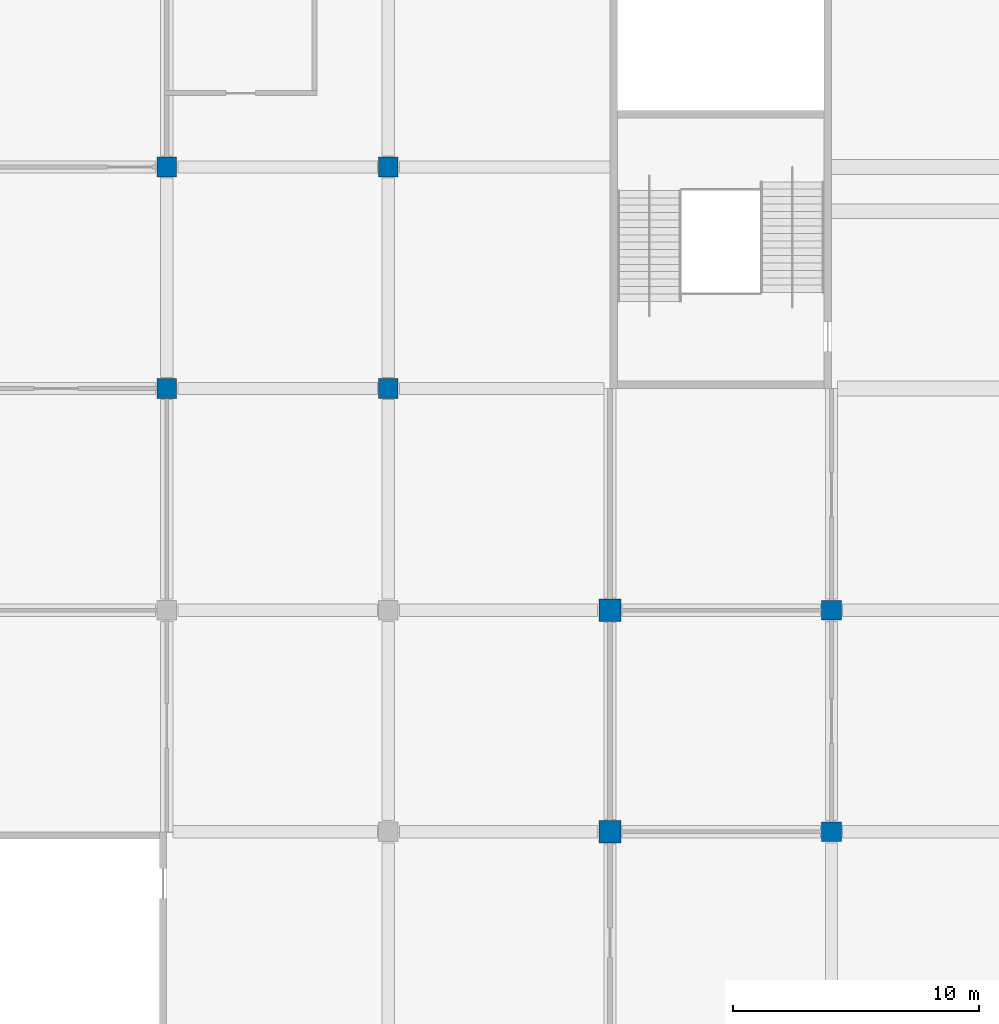
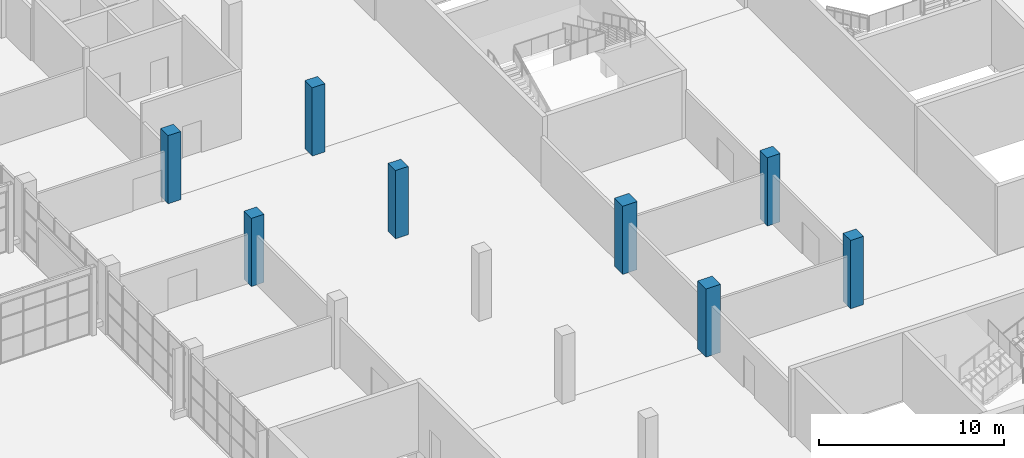
# One storey, part 4 of 168: 8 columns.
"""IFC4 building model written with IfcOpenShell, lengths in metres."""

import ifcopenshell
import ifcopenshell.guid

model = None  # the IFC model being written
_history = None  # IfcOwnerHistory: only IFC2X3 demands one
_inside = {}  # id of a spatial element -> (the spatial element, [elements in it])
_under = {}  # id of a project, library or spatial element -> (it, [spatial elements below it])
_declared = {}  # id of a project -> (the project, [libraries it declares])
_typed = {}  # id of a type object -> (the type object, [elements of that type])
_made_of = {}  # id of a material, layer set ... -> (it, [elements and type objects made of it])


def new_model(schema):
    """Start an empty IFC model of exactly this schema.

    Asked for "IFC4X3", IfcOpenShell would pick the latest addendum, in which some entities
    have other attributes; the version numbers below select the first issue.
    IFC2X3 requires an IfcOwnerHistory on every rooted entity: one is made here for all.
    """
    global model, _history
    if schema == "IFC4X3":
        model = ifcopenshell.file(schema_version=(4, 3, 0, 0))
    else:
        model = ifcopenshell.file(schema=schema)
    _inside.clear()
    _under.clear()
    _declared.clear()
    _typed.clear()
    _made_of.clear()
    _history = None
    if model.schema == "IFC2X3":
        org = make("IfcOrganization", Name="unknown")
        user = make(
            "IfcPersonAndOrganization",
            ThePerson=make("IfcPerson", FamilyName="unknown"),
            TheOrganization=org,
        )
        app = make(
            "IfcApplication",
            ApplicationDeveloper=org,
            Version="unknown",
            ApplicationFullName="unknown",
            ApplicationIdentifier="unknown",
        )
        _history = make(
            "IfcOwnerHistory",
            OwningUser=user,
            OwningApplication=app,
            ChangeAction="ADDED",
            CreationDate=0,
        )
    return model


def make(cls, **values):
    """One entity of the class cls with the attributes given. An attribute that is None is left unset."""
    return model.create_entity(
        cls, **{name: value for name, value in values.items() if value is not None}
    )


def rooted(cls, **values):
    """An entity with a GlobalId (a new one), such as an element, a storey or a relation."""
    return make(cls, GlobalId=ifcopenshell.guid.new(), OwnerHistory=_history, **values)


def si_unit(unit_type, name, prefix=None):
    """IfcSIUnit, for example si_unit("LENGTHUNIT", "METRE", prefix="MILLI")."""
    return make("IfcSIUnit", UnitType=unit_type, Prefix=prefix, Name=name)


def assignment(units):
    """IfcUnitAssignment: the units of a project."""
    return None if units is None else make("IfcUnitAssignment", Units=units)


def point(xyz):
    """IfcCartesianPoint."""
    return None if xyz is None else make("IfcCartesianPoint", Coordinates=xyz)


def direction(xyz):
    """IfcDirection."""
    return None if xyz is None else make("IfcDirection", DirectionRatios=xyz)


def frame(location, z_axis=None, x_axis=None):
    """IfcAxis2Placement3D, a coordinate frame: its origin and axes. An axis left out is left unset."""
    return make(
        "IfcAxis2Placement3D",
        Location=point(location),
        Axis=direction(z_axis),
        RefDirection=direction(x_axis),
    )


def frame_2d(location, x_axis=None):
    """IfcAxis2Placement2D, a coordinate frame in the plane: its origin and x axis."""
    return make(
        "IfcAxis2Placement2D", Location=point(location), RefDirection=direction(x_axis)
    )


def origin():
    """The frame at (0, 0, 0) with its axes left unset."""
    return frame((0.0, 0.0, 0.0))


def origin_2d():
    """The frame at (0, 0) in the plane with its x axis left unset."""
    return frame_2d((0.0, 0.0))


def place(relative_to, where):
    """IfcLocalPlacement: puts the frame where relative to a parent placement (None: the world)."""
    return make(
        "IfcLocalPlacement", PlacementRelTo=relative_to, RelativePlacement=where
    )


def context(
    kind, dimensions, precision=None, world=None, true_north=None, identifier=None
):
    """IfcGeometricRepresentationContext, for example the 3D "Model" context."""
    return make(
        "IfcGeometricRepresentationContext",
        ContextIdentifier=identifier,
        ContextType=kind,
        CoordinateSpaceDimension=dimensions,
        Precision=precision,
        WorldCoordinateSystem=world,
        TrueNorth=true_north,
    )


def subcontext(parent, identifier, kind, view, scale=None):
    """IfcGeometricRepresentationSubContext, for example "Body" below "Model"."""
    return make(
        "IfcGeometricRepresentationSubContext",
        ContextIdentifier=identifier,
        ContextType=kind,
        ParentContext=parent,
        TargetScale=scale,
        TargetView=view,
    )


def project(units=None, contexts=None):
    """IfcProject with its units and contexts."""
    return rooted(
        "IfcProject",
        Name="project",
        RepresentationContexts=contexts,
        UnitsInContext=assignment(units),
    )


def spatial(cls, under=None, at=None, **own):
    """A site, building, storey or space (cls), placed at a placement, below another one or the project."""
    s = rooted(cls, ObjectPlacement=at, **own)
    if under is not None:
        _under.setdefault(under.id(), (under, []))[1].append(s)
    return s


def profile(cls, at=None, kind="AREA", **sizes):
    """A parametric profile (cls). Its sizes go by their IFC names, for example OverallWidth=200.0."""
    return make(cls, ProfileType=kind, Position=at, **sizes)


def rectangle(**sizes):
    """IfcRectangleProfileDef."""
    return profile("IfcRectangleProfileDef", **sizes)


def extrude(swept, where, along, depth):
    """IfcExtrudedAreaSolid: the profile swept, set in the frame where, extruded along a direction by depth."""
    return make(
        "IfcExtrudedAreaSolid",
        SweptArea=swept,
        Position=where,
        ExtrudedDirection=direction(along),
        Depth=depth,
    )


def shape(context_of_items, identifier, shape_type, items):
    """IfcShapeRepresentation: the items that make up one representation, for example the "Body"."""
    return make(
        "IfcShapeRepresentation",
        ContextOfItems=context_of_items,
        RepresentationIdentifier=identifier,
        RepresentationType=shape_type,
        Items=items,
    )


def material(Name=None, Category=None):
    """IfcMaterial."""
    return make("IfcMaterial", Name=Name, Category=Category)


def material_profile(
    of_material, cross_section, Name=None, Category=None, Priority=None
):
    """IfcMaterialProfile: a cross section and its material."""
    return make(
        "IfcMaterialProfile",
        Name=Name,
        Material=of_material,
        Profile=cross_section,
        Priority=Priority,
        Category=Category,
    )


def profile_set(profiles, Name=None, composite=None):
    """IfcMaterialProfileSet."""
    return make(
        "IfcMaterialProfileSet",
        Name=Name,
        MaterialProfiles=profiles,
        CompositeProfile=composite,
    )


def made_of(thing, what):
    """Note that an element or type object is made of a material, layer set ...; save() writes the relation."""
    if what is not None:
        _made_of.setdefault(what.id(), (what, []))[1].append(thing)
    return thing


def type_object(cls, material=None, **own):
    """A type object (cls), such as IfcWallType, which elements share."""
    return made_of(rooted(cls, **own), material)


def element(
    cls,
    number,
    at=None,
    inside=None,
    cuts=None,
    type_object=None,
    material=None,
    context=None,
    identifier="Body",
    shape_type=None,
    held_by="IfcProductDefinitionShape",
    body=None,
    shapes=None,
    **own,
):
    """One element of the class cls, such as IfcWall. Its Tag is "e" and its number.

    at: its placement. inside: the storey or other place that contains it. cuts: it is an
    opening in that element (IfcRelVoidsElement). A single representation is given by context,
    identifier, shape_type and body (its items); several are given by shapes. held_by: the class
    of the entity that holds the representations. save() writes the other relations.
    """
    e = rooted(cls, Tag="e%d" % number, ObjectPlacement=at, **own)
    if body is not None:
        shapes = [shape(context, identifier, shape_type, body)]
    if shapes is not None:
        e.Representation = make(held_by, Representations=shapes)
    if inside is not None:
        _inside.setdefault(inside.id(), (inside, []))[1].append(e)
    if cuts is not None:
        rooted(
            "IfcRelVoidsElement", RelatingBuildingElement=cuts, RelatedOpeningElement=e
        )
    if type_object is not None:
        _typed.setdefault(type_object.id(), (type_object, []))[1].append(e)
    return made_of(e, material)


def aggregate(whole, parts):
    """IfcRelAggregates: a whole, such as a stair, and the parts it consists of."""
    return rooted("IfcRelAggregates", RelatingObject=whole, RelatedObjects=parts)


def save(model, path):
    """Write the relations noted so far, then the file.

    IfcRelAggregates (storeys below a building ...), IfcRelContainedInSpatialStructure (elements
    in a storey), IfcRelDefinesByType, IfcRelAssociatesMaterial and IfcRelDeclares: one each for
    every whole, place, type object, material and project.
    """
    for whole, parts in _under.values():
        aggregate(whole, parts)
    for where, things in _inside.values():
        rooted(
            "IfcRelContainedInSpatialStructure",
            RelatedElements=things,
            RelatingStructure=where,
        )
    for kind, things in _typed.values():
        rooted("IfcRelDefinesByType", RelatedObjects=things, RelatingType=kind)
    for what, things in _made_of.values():
        rooted("IfcRelAssociatesMaterial", RelatedObjects=things, RelatingMaterial=what)
    for by, libraries in _declared.values():
        rooted("IfcRelDeclares", RelatingContext=by, RelatedDefinitions=libraries)
    model.write(path)


model = new_model("IFC4")

# Units and contexts
model_context = context("Model", 3, precision=1e-05, world=origin(), true_north=direction((0.0, 1.0)))
body_context = subcontext(model_context, "Body", "Model", "MODEL_VIEW")
ifc_project = project(units=[si_unit("LENGTHUNIT", "METRE"), si_unit("AREAUNIT", "SQUARE_METRE"), si_unit("VOLUMEUNIT", "CUBIC_METRE"), si_unit("PLANEANGLEUNIT", "RADIAN"), si_unit("MASSUNIT", "GRAM", prefix="KILO")], contexts=[model_context])

# Site, building, storey
site_placement = place(None, origin())
site = spatial("IfcSite", under=ifc_project, at=site_placement, CompositionType="ELEMENT")
building_placement = place(site_placement, origin())
building = spatial("IfcBuilding", under=site, at=building_placement, Name="Silverbay Arena", CompositionType="ELEMENT")
storey_placement = place(building_placement, frame((0.0, 0.0, 7.0)))
storey = spatial("IfcBuildingStorey", under=building, at=storey_placement, Name="L01", CompositionType="ELEMENT", Elevation=7.0)

# Columns
ifc_material_1 = material(Name="Concrete Grade C45", Category="concrete")
ifc_material_profile_1 = material_profile(ifc_material_1, rectangle(XDim=0.800048828125, YDim=0.800048828125, at=origin_2d()), Name="RC 800x800")
ifc_profile_set_1 = profile_set([ifc_material_profile_1], Name="Concrete Grade C45")
column_type_1 = type_object("IfcColumnType", Name="RC column 800x800", PredefinedType="COLUMN", material=ifc_profile_set_1)
for number, where, z_axis, x_axis, name in (
    (1, (63.0, 36.0, 0.0), (0.0, 0.0, 1.0), (1.0, 0.0, 0.0), "Column 8/E L01"),
    (2, (63.0, 45.0, 0.0), (0.0, 0.0, 1.0), (1.0, 0.0, 0.0), "Column 8/F L01"),
    (3, (36.0, 54.0, 0.0), (0.0, 0.0, 1.0), (1.0, 0.0, 0.0), "Column 5/G L01"),
    (4, (36.0, 63.0, 0.0), (0.0, 0.0, 1.0), (1.0, 0.0, 0.0), "Column 5/H L01"),
    (5, (45.0, 54.0, 0.0), (0.0, 0.0, 1.0), (1.0, 0.0, 0.0), "Column 6/G L01"),
    (6, (45.0, 63.0, 0.0), (0.0, 0.0, 1.0), (1.0, 0.0, 0.0), "Column 6/H L01"),
):
    element("IfcColumn", number, at=place(storey_placement, frame(where, z_axis=z_axis, x_axis=x_axis)), inside=storey, type_object=column_type_1, Name=name, PredefinedType="COLUMN", context=body_context, shape_type="SweptSolid", body=[
        extrude(rectangle(XDim=0.800048828125, YDim=0.800048828125, at=origin_2d()), origin(), (0.0, 0.0, 1.0), 4.5),
    ])
ifc_material_2 = material(Name="Concrete Grade C45", Category="concrete")
ifc_material_profile_2 = material_profile(ifc_material_2, rectangle(XDim=0.89990234375, YDim=0.89990234375, at=origin_2d()), Name="RC 900x900")
ifc_profile_set_2 = profile_set([ifc_material_profile_2], Name="Concrete Grade C45")
column_type_2 = type_object("IfcColumnType", Name="RC column 900x900", PredefinedType="COLUMN", material=ifc_profile_set_2)
for number, where, z_axis, x_axis, name in (
    (7, (54.0, 36.0, 0.0), (0.0, 0.0, 1.0), (1.0, 0.0, 0.0), "Column 7/E L01"),
    (8, (54.0, 45.0, 0.0), (0.0, 0.0, 1.0), (1.0, 0.0, 0.0), "Column 7/F L01"),
):
    element("IfcColumn", number, at=place(storey_placement, frame(where, z_axis=z_axis, x_axis=x_axis)), inside=storey, type_object=column_type_2, Name=name, PredefinedType="COLUMN", context=body_context, shape_type="SweptSolid", body=[
        extrude(rectangle(XDim=0.89990234375, YDim=0.89990234375, at=origin_2d()), origin(), (0.0, 0.0, 1.0), 4.5),
    ])

save(model, "model.ifc")
